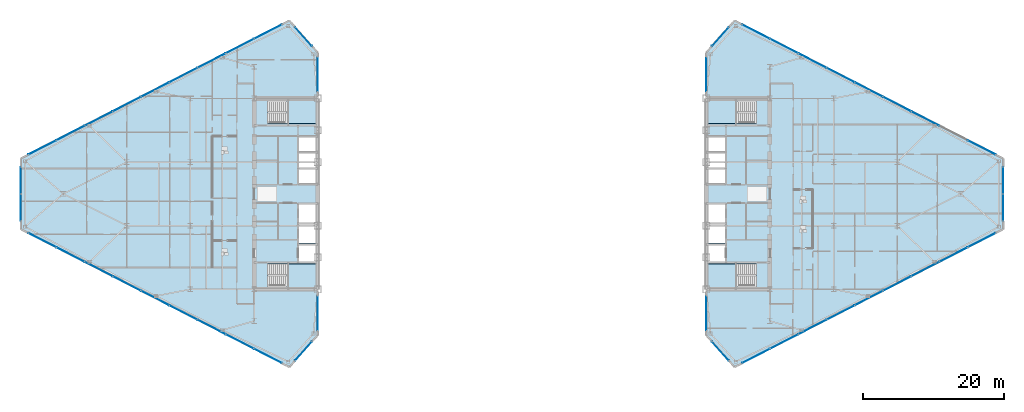
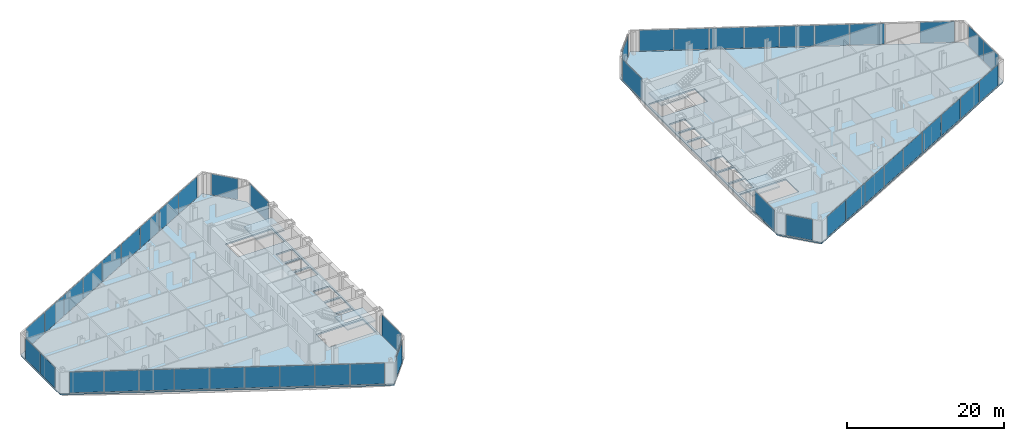
# One storey, part 14 of 24: 47 plates, 6 slabs, 18 elements without a shape of their own.
"""IFC4 building model written with IfcOpenShell, lengths in metres."""

from ifc_helpers import new_model, si_unit, direction, frame, origin, origin_2d, place, context, subcontext, project, spatial, polyline, rectangle, outline, extrude, source, transform, mapped, material, layer, layer_set, type_object, type_shapes, element, aggregate, save


model = new_model("IFC4")

# Units and contexts
model_context = context("Model", 3, precision=1e-05, world=origin(), true_north=direction((0.0, 1.0)))
body_context = subcontext(model_context, "Body", "Model", "MODEL_VIEW")
ifc_project = project(units=[si_unit("LENGTHUNIT", "METRE"), si_unit("AREAUNIT", "SQUARE_METRE"), si_unit("VOLUMEUNIT", "CUBIC_METRE"), si_unit("PLANEANGLEUNIT", "RADIAN"), si_unit("MASSUNIT", "GRAM", prefix="KILO")], contexts=[model_context])

# Site, building, storey
site_placement = place(None, origin())
site = spatial("IfcSite", under=ifc_project, at=site_placement, CompositionType="ELEMENT")
building_placement = place(site_placement, origin())
building = spatial("IfcBuilding", under=site, at=building_placement, Name="Seokmaru Belvedere", CompositionType="ELEMENT")
storey_placement = place(building_placement, frame((0.0, 0.0, 117.60009765625)))
storey = spatial("IfcBuildingStorey", under=building, at=storey_placement, Name="L31", CompositionType="ELEMENT", Elevation=117.60009765625)

# Stair, slab
ifc_material_1 = material(Name="Concrete C40 (40 MPa)", Category="concrete")
stair_type = type_object("IfcStairType", Name="Typical Tower Core Dog-Leg Stair 3600", PredefinedType="TWO_STRAIGHT_RUN_STAIR", material=ifc_material_1)
stair_1_placement = place(storey_placement, origin())
stair_1 = element("IfcStair", 1, at=stair_1_placement, inside=storey, type_object=stair_type, Name="L31 Special Escape Stair ST-W1", PredefinedType="TWO_STRAIGHT_RUN_STAIR")
ifc_layer_1 = layer(ifc_material_1, 0.199951171875)
ifc_layer_set_1 = layer_set([ifc_layer_1], Name="Concrete C40 (40 MPa)")
slab_type_1 = type_object("IfcSlabType", Name="Reinforced Concrete Stair Landing Slab 200", PredefinedType="LANDING", material=ifc_layer_set_1)
slab_1_placement = place(storey_placement, frame((0.0, 0.0, 1.599853515625)))
slab_1 = element("IfcSlab", 2, at=slab_1_placement, type_object=slab_type_1, Name="ST-W1 landing 1", PredefinedType="LANDING", context=body_context, shape_type="SweptSolid", body=[
    extrude(outline(polyline([(-31.8798828125, -13.239990234375), (-27.760009765625, -13.239990234375), (-27.760009765625, -9.949951171875), (-31.8798828125, -9.949951171875), (-31.8798828125, -13.239990234375)])), origin(), (0.0, 0.0, 1.0), 0.199951171875),
])
aggregate(stair_1, [slab_1])

stair_2_placement = place(storey_placement, origin())
stair_2 = element("IfcStair", 3, at=stair_2_placement, inside=storey, type_object=stair_type, Name="L31 Special Escape Stair ST-W2", PredefinedType="TWO_STRAIGHT_RUN_STAIR")
slab_2_placement = place(storey_placement, frame((0.0, 0.0, 1.599853515625)))
slab_2 = element("IfcSlab", 4, at=slab_2_placement, type_object=slab_type_1, Name="ST-W2 landing 1", PredefinedType="LANDING", context=body_context, shape_type="SweptSolid", body=[
    extrude(outline(polyline([(-31.8798828125, 9.949951171875), (-27.760009765625, 9.949951171875), (-27.760009765625, 13.239990234375), (-31.8798828125, 13.239990234375), (-31.8798828125, 9.949951171875)])), origin(), (0.0, 0.0, 1.0), 0.199951171875),
])
aggregate(stair_2, [slab_2])

stair_3_placement = place(storey_placement, origin())
stair_3 = element("IfcStair", 5, at=stair_3_placement, inside=storey, type_object=stair_type, Name="L31 Special Escape Stair ST-E1", PredefinedType="TWO_STRAIGHT_RUN_STAIR")
slab_3_placement = place(storey_placement, frame((0.0, 0.0, 1.599853515625)))
slab_3 = element("IfcSlab", 6, at=slab_3_placement, type_object=slab_type_1, Name="ST-E1 landing 1", PredefinedType="LANDING", context=body_context, shape_type="SweptSolid", body=[
    extrude(outline(polyline([(27.760009765625, -13.239990234375), (31.8798828125, -13.239990234375), (31.8798828125, -9.949951171875), (27.760009765625, -9.949951171875), (27.760009765625, -13.239990234375)])), origin(), (0.0, 0.0, 1.0), 0.199951171875),
])
aggregate(stair_3, [slab_3])

stair_4_placement = place(storey_placement, origin())
stair_4 = element("IfcStair", 7, at=stair_4_placement, inside=storey, type_object=stair_type, Name="L31 Special Escape Stair ST-E2", PredefinedType="TWO_STRAIGHT_RUN_STAIR")
slab_4_placement = place(storey_placement, frame((0.0, 0.0, 1.599853515625)))
slab_4 = element("IfcSlab", 8, at=slab_4_placement, type_object=slab_type_1, Name="ST-E2 landing 1", PredefinedType="LANDING", context=body_context, shape_type="SweptSolid", body=[
    extrude(outline(polyline([(27.760009765625, 9.949951171875), (31.8798828125, 9.949951171875), (31.8798828125, 13.239990234375), (27.760009765625, 13.239990234375), (27.760009765625, 9.949951171875)])), origin(), (0.0, 0.0, 1.0), 0.199951171875),
])
aggregate(stair_4, [slab_4])

# Slabs
ifc_layer_2 = layer(ifc_material_1, 0.219970703125)
ifc_layer_set_2 = layer_set([ifc_layer_2], Name="Concrete C40 (40 MPa)")
slab_type_2 = type_object("IfcSlabType", Name="Typical Tower Composite Floor Slab 220", PredefinedType="FLOOR", material=ifc_layer_set_2)
slab_5_placement = place(storey_placement, frame((0.0, 0.0, -0.22021484375)))
element("IfcSlab", 9, at=slab_5_placement, inside=storey, type_object=slab_type_2, Name="L31 West Leg Floor Slab", PredefinedType="FLOOR", context=body_context, shape_type="SweptSolid", body=[
    extrude(outline(polyline([(-27.5, -20.0), (-27.5, 20.0), (-31.5, 24.5), (-69.5, 5.0), (-69.5, -5.0), (-31.5, -24.5), (-27.5, -20.0)]), holes=[polyline([(-34.60009765625, -13.25), (-27.75, -13.25), (-27.75, -9.949951171875), (-34.60009765625, -9.949951171875), (-34.60009765625, -13.25)]), polyline([(-34.60009765625, 9.949951171875), (-27.75, 9.949951171875), (-27.75, 13.25), (-34.60009765625, 13.25), (-34.60009765625, 9.949951171875)]), polyline([(-30.14990234375, -9.550048828125), (-27.75, -9.550048828125), (-27.75, -7.25), (-30.14990234375, -7.25), (-30.14990234375, -9.550048828125)]), polyline([(-30.14990234375, -6.949951171875), (-27.75, -6.949951171875), (-27.75, -4.35009765625), (-30.14990234375, -4.35009765625), (-30.14990234375, -6.949951171875)]), polyline([(-30.14990234375, -4.050048828125), (-27.75, -4.050048828125), (-27.75, -1.449951171875), (-30.14990234375, -1.449951171875), (-30.14990234375, -4.050048828125)]), polyline([(-30.14990234375, 1.449951171875), (-27.75, 1.449951171875), (-27.75, 3.449951171875), (-30.14990234375, 3.449951171875), (-30.14990234375, 1.449951171875)]), polyline([(-30.14990234375, 3.75), (-27.75, 3.75), (-27.75, 5.75), (-30.14990234375, 5.75), (-30.14990234375, 3.75)]), polyline([(-30.14990234375, 6.050048828125), (-27.75, 6.050048828125), (-27.75, 8.050048828125), (-30.14990234375, 8.050048828125), (-30.14990234375, 6.050048828125)])]), origin(), (0.0, 0.0, 1.0), 0.22021484375),
])
slab_6_placement = place(storey_placement, frame((0.0, 0.0, -0.22021484375)))
element("IfcSlab", 10, at=slab_6_placement, inside=storey, type_object=slab_type_2, Name="L31 East Leg Floor Slab", PredefinedType="FLOOR", context=body_context, shape_type="SweptSolid", body=[
    extrude(outline(polyline([(31.5, -24.5), (69.5, -5.0), (69.5, 5.0), (31.5, 24.5), (27.5, 20.0), (27.5, -20.0), (31.5, -24.5)]), holes=[polyline([(27.75, -13.25), (34.60009765625, -13.25), (34.60009765625, -9.949951171875), (27.75, -9.949951171875), (27.75, -13.25)]), polyline([(27.75, 9.949951171875), (34.60009765625, 9.949951171875), (34.60009765625, 13.25), (27.75, 13.25), (27.75, 9.949951171875)]), polyline([(27.75, -9.550048828125), (30.14990234375, -9.550048828125), (30.14990234375, -7.25), (27.75, -7.25), (27.75, -9.550048828125)]), polyline([(27.75, -6.949951171875), (30.14990234375, -6.949951171875), (30.14990234375, -4.35009765625), (27.75, -4.35009765625), (27.75, -6.949951171875)]), polyline([(27.75, -4.050048828125), (30.14990234375, -4.050048828125), (30.14990234375, -1.449951171875), (27.75, -1.449951171875), (27.75, -4.050048828125)]), polyline([(27.75, 1.449951171875), (30.14990234375, 1.449951171875), (30.14990234375, 3.449951171875), (27.75, 3.449951171875), (27.75, 1.449951171875)]), polyline([(27.75, 3.75), (30.14990234375, 3.75), (30.14990234375, 5.75), (27.75, 5.75), (27.75, 3.75)]), polyline([(27.75, 6.050048828125), (30.14990234375, 6.050048828125), (30.14990234375, 8.050048828125), (27.75, 8.050048828125), (27.75, 6.050048828125)])]), origin(), (0.0, 0.0, 1.0), 0.22021484375),
])

# Curtain wall, plate
ifc_material_2 = material(Name="Bronze Triple Insulating Glass", Category="glass")
ifc_layer_3 = layer(ifc_material_2, 0.195068359375)
ifc_layer_set_3 = layer_set([ifc_layer_3], Name="Bronze Triple Insulating Glass")
curtain_wall_type = type_object("IfcCurtainWallType", Name="Sky-Lobby and Mid-Rise Curtain Wall System CW-4", PredefinedType="NOTDEFINED", material=ifc_layer_set_3)
curtain_wall_1_placement = place(storey_placement, origin())
curtain_wall_1 = element("IfcCurtainWall", 11, at=curtain_wall_1_placement, inside=storey, type_object=curtain_wall_type, Name="L31 Curtain Wall WSP_1", PredefinedType="NOTDEFINED")
ifc_layer_4 = layer(ifc_material_2, 0.035888671875)
ifc_layer_set_4 = layer_set([ifc_layer_4], Name="Bronze Triple Insulating Glass")
plate_type = type_object("IfcPlateType", Name="Bronze Triple Vision Glazing Panel 36", PredefinedType="CURTAIN_PANEL", material=ifc_layer_set_4)
shared_shape_1 = source(origin(), body_context, "Body", "SweptSolid", [
    extrude(rectangle(XDim=4.909912109375, YDim=0.035888671875, at=origin_2d()), origin(), (0.0, 0.0, 1.0), 3.25),
])
plate_1_placement = place(storey_placement, frame((-27.5, -16.905029296875, 0.06494140625), z_axis=(0.0, 0.0, 1.0), x_axis=(0.0, 1.0, 0.0)))
plate_1 = element("IfcPlate", 12, at=plate_1_placement, type_object=plate_type, Name="CW:L31:WSP_1 Glazing Panel 1-1", PredefinedType="CURTAIN_PANEL", context=body_context, shape_type="MappedRepresentation", body=[
    mapped(shared_shape_1, transform((0.0, 0.0, 0.0), scale=1.0)),
])
aggregate(curtain_wall_1, [plate_1])

curtain_wall_2_placement = place(storey_placement, origin())
curtain_wall_2 = element("IfcCurtainWall", 13, at=curtain_wall_2_placement, inside=storey, type_object=curtain_wall_type, Name="L31 Curtain Wall WSP_2", PredefinedType="NOTDEFINED")
plate_2_placement = place(storey_placement, frame((-27.5, 16.905029296875, 0.06494140625), z_axis=(0.0, 0.0, 1.0), x_axis=(0.0, 1.0, 0.0)))
plate_2 = element("IfcPlate", 14, at=plate_2_placement, type_object=plate_type, Name="CW:L31:WSP_2 Glazing Panel 1-1", PredefinedType="CURTAIN_PANEL", context=body_context, shape_type="MappedRepresentation", body=[
    mapped(shared_shape_1, transform((0.0, 0.0, 0.0), scale=1.0)),
])
aggregate(curtain_wall_2, [plate_2])

curtain_wall_3_placement = place(storey_placement, origin())
curtain_wall_3 = element("IfcCurtainWall", 15, at=curtain_wall_3_placement, inside=storey, type_object=curtain_wall_type, Name="L31 Curtain Wall ESP_1", PredefinedType="NOTDEFINED")
plate_3_placement = place(storey_placement, frame((27.5, -16.905029296875, 0.06494140625), z_axis=(0.0, 0.0, 1.0), x_axis=(0.0, -1.0, 0.0)))
plate_3 = element("IfcPlate", 16, at=plate_3_placement, type_object=plate_type, Name="CW:L31:ESP_1 Glazing Panel 1-1", PredefinedType="CURTAIN_PANEL", context=body_context, shape_type="MappedRepresentation", body=[
    mapped(shared_shape_1, transform((0.0, 0.0, 0.0), scale=1.0)),
])
aggregate(curtain_wall_3, [plate_3])

curtain_wall_4_placement = place(storey_placement, origin())
curtain_wall_4 = element("IfcCurtainWall", 17, at=curtain_wall_4_placement, inside=storey, type_object=curtain_wall_type, Name="L31 Curtain Wall ESP_2", PredefinedType="NOTDEFINED")
plate_4_placement = place(storey_placement, frame((27.5, 16.905029296875, 0.06494140625), z_axis=(0.0, 0.0, 1.0), x_axis=(0.0, -1.0, 0.0)))
plate_4 = element("IfcPlate", 18, at=plate_4_placement, type_object=plate_type, Name="CW:L31:ESP_2 Glazing Panel 1-1", PredefinedType="CURTAIN_PANEL", context=body_context, shape_type="MappedRepresentation", body=[
    mapped(shared_shape_1, transform((0.0, 0.0, 0.0), scale=1.0)),
])
aggregate(curtain_wall_4, [plate_4])

curtain_wall_5_placement = place(storey_placement, origin())
curtain_wall_5 = element("IfcCurtainWall", 19, at=curtain_wall_5_placement, inside=storey, type_object=curtain_wall_type, Name="L31 Curtain Wall WF2", PredefinedType="NOTDEFINED")
shared_shape_2 = source(origin(), body_context, "Body", "SweptSolid", [
    extrude(rectangle(XDim=3.580810546875, YDim=0.035888671875, at=origin_2d()), origin(), (0.0, 0.0, 1.0), 3.25),
])
plate_5_placement = place(storey_placement, frame((-29.5, 22.25, 0.06494140625), z_axis=(0.0, 0.0, 1.0), x_axis=(-0.664363325694, 0.747409774804, 0.0)))
plate_5 = element("IfcPlate", 20, at=plate_5_placement, type_object=plate_type, Name="CW:L31:WF2 Glazing Panel 1-1", PredefinedType="CURTAIN_PANEL", context=body_context, shape_type="MappedRepresentation", body=[
    mapped(shared_shape_2, transform((0.0, 0.0, 0.0), scale=1.0)),
])
aggregate(curtain_wall_5, [plate_5])

curtain_wall_6_placement = place(storey_placement, origin())
curtain_wall_6 = element("IfcCurtainWall", 21, at=curtain_wall_6_placement, inside=storey, type_object=curtain_wall_type, Name="L31 Curtain Wall WF6", PredefinedType="NOTDEFINED")
plate_6_placement = place(storey_placement, frame((-29.5, -22.25, 0.06494140625), z_axis=(0.0, 0.0, 1.0), x_axis=(0.664363325694, 0.747409774804, 0.0)))
plate_6 = element("IfcPlate", 22, at=plate_6_placement, type_object=plate_type, Name="CW:L31:WF6 Glazing Panel 1-1", PredefinedType="CURTAIN_PANEL", context=body_context, shape_type="MappedRepresentation", body=[
    mapped(shared_shape_2, transform((0.0, 0.0, 0.0), scale=1.0)),
])
aggregate(curtain_wall_6, [plate_6])

curtain_wall_7_placement = place(storey_placement, origin())
curtain_wall_7 = element("IfcCurtainWall", 23, at=curtain_wall_7_placement, inside=storey, type_object=curtain_wall_type, Name="L31 Curtain Wall EF4", PredefinedType="NOTDEFINED")
plate_7_placement = place(storey_placement, frame((29.5, 22.25, 0.06494140625), z_axis=(0.0, 0.0, 1.0), x_axis=(-0.664363325694, -0.747409774804, 0.0)))
plate_7 = element("IfcPlate", 24, at=plate_7_placement, type_object=plate_type, Name="CW:L31:EF4 Glazing Panel 1-1", PredefinedType="CURTAIN_PANEL", context=body_context, shape_type="MappedRepresentation", body=[
    mapped(shared_shape_2, transform((0.0, 0.0, 0.0), scale=1.0)),
])
aggregate(curtain_wall_7, [plate_7])

curtain_wall_8_placement = place(storey_placement, origin())
curtain_wall_8 = element("IfcCurtainWall", 25, at=curtain_wall_8_placement, inside=storey, type_object=curtain_wall_type, Name="L31 Curtain Wall EF6", PredefinedType="NOTDEFINED")
plate_8_placement = place(storey_placement, frame((29.5, -22.25, 0.06494140625), z_axis=(0.0, 0.0, 1.0), x_axis=(0.664363325694, -0.747409774804, 0.0)))
plate_8 = element("IfcPlate", 26, at=plate_8_placement, type_object=plate_type, Name="CW:L31:EF6 Glazing Panel 1-1", PredefinedType="CURTAIN_PANEL", context=body_context, shape_type="MappedRepresentation", body=[
    mapped(shared_shape_2, transform((0.0, 0.0, 0.0), scale=1.0)),
])
aggregate(curtain_wall_8, [plate_8])

# Curtain wall, plates
curtain_wall_9_placement = place(storey_placement, origin())
curtain_wall_9 = element("IfcCurtainWall", 27, at=curtain_wall_9_placement, inside=storey, type_object=curtain_wall_type, Name="L31 Curtain Wall WF3", PredefinedType="NOTDEFINED")
shared_shape_3 = source(origin(), body_context, "Body", "SweptSolid", [
    extrude(rectangle(XDim=4.38525390625, YDim=0.035888671875, at=origin_2d()), origin(), (0.0, 0.0, 1.0), 3.25),
])
plate_9_placement = place(storey_placement, frame((-34.5361328125, 22.94189453125, 0.06494140625), z_axis=(0.0, 0.0, 1.0), x_axis=(-0.889695432562, -0.456554528263, 0.0)))
plate_9 = element("IfcPlate", 28, at=plate_9_placement, type_object=plate_type, Name="CW:L31:WF3 Glazing Panel 1-1", PredefinedType="CURTAIN_PANEL", context=body_context, shape_type="MappedRepresentation", body=[
    mapped(shared_shape_3, transform((0.0, 0.0, 0.0), scale=1.0)),
])
plate_10_placement = place(storey_placement, frame((-66.4638671875, 6.55810546875, 0.06494140625), z_axis=(0.0, 0.0, 1.0), x_axis=(-0.889695432562, -0.456554528263, 0.0)))
plate_10 = element("IfcPlate", 29, at=plate_10_placement, type_object=plate_type, Name="CW:L31:WF3 Glazing Panel 9-1", PredefinedType="CURTAIN_PANEL", context=body_context, shape_type="MappedRepresentation", body=[
    mapped(shared_shape_3, transform((0.0, 0.0, 0.0), scale=1.0)),
])

curtain_wall_10_placement = place(storey_placement, origin())
curtain_wall_10 = element("IfcCurtainWall", 30, at=curtain_wall_10_placement, inside=storey, type_object=curtain_wall_type, Name="L31 Curtain Wall WF5", PredefinedType="NOTDEFINED")
plate_11_placement = place(storey_placement, frame((-66.4638671875, -6.55810546875, 0.06494140625), z_axis=(0.0, 0.0, 1.0), x_axis=(0.889695432562, -0.456554528263, 0.0)))
plate_11 = element("IfcPlate", 31, at=plate_11_placement, type_object=plate_type, Name="CW:L31:WF5 Glazing Panel 1-1", PredefinedType="CURTAIN_PANEL", context=body_context, shape_type="MappedRepresentation", body=[
    mapped(shared_shape_3, transform((0.0, 0.0, 0.0), scale=1.0)),
])
plate_12_placement = place(storey_placement, frame((-34.5361328125, -22.94189453125, 0.06494140625), z_axis=(0.0, 0.0, 1.0), x_axis=(0.889695432562, -0.456554528263, 0.0)))
plate_12 = element("IfcPlate", 32, at=plate_12_placement, type_object=plate_type, Name="CW:L31:WF5 Glazing Panel 9-1", PredefinedType="CURTAIN_PANEL", context=body_context, shape_type="MappedRepresentation", body=[
    mapped(shared_shape_3, transform((0.0, 0.0, 0.0), scale=1.0)),
])

curtain_wall_11_placement = place(storey_placement, origin())
curtain_wall_11 = element("IfcCurtainWall", 33, at=curtain_wall_11_placement, inside=storey, type_object=curtain_wall_type, Name="L31 Curtain Wall EF1", PredefinedType="NOTDEFINED")
plate_13_placement = place(storey_placement, frame((34.5361328125, -22.94189453125, 0.06494140625), z_axis=(0.0, 0.0, 1.0), x_axis=(0.889695432562, 0.456554528263, 0.0)))
plate_13 = element("IfcPlate", 34, at=plate_13_placement, type_object=plate_type, Name="CW:L31:EF1 Glazing Panel 1-1", PredefinedType="CURTAIN_PANEL", context=body_context, shape_type="MappedRepresentation", body=[
    mapped(shared_shape_3, transform((0.0, 0.0, 0.0), scale=1.0)),
])
plate_14_placement = place(storey_placement, frame((66.4638671875, -6.55810546875, 0.06494140625), z_axis=(0.0, 0.0, 1.0), x_axis=(0.889695432562, 0.456554528263, 0.0)))
plate_14 = element("IfcPlate", 35, at=plate_14_placement, type_object=plate_type, Name="CW:L31:EF1 Glazing Panel 9-1", PredefinedType="CURTAIN_PANEL", context=body_context, shape_type="MappedRepresentation", body=[
    mapped(shared_shape_3, transform((0.0, 0.0, 0.0), scale=1.0)),
])

curtain_wall_12_placement = place(storey_placement, origin())
curtain_wall_12 = element("IfcCurtainWall", 36, at=curtain_wall_12_placement, inside=storey, type_object=curtain_wall_type, Name="L31 Curtain Wall EF3", PredefinedType="NOTDEFINED")
plate_15_placement = place(storey_placement, frame((66.4638671875, 6.55810546875, 0.06494140625), z_axis=(0.0, 0.0, 1.0), x_axis=(-0.889695432562, 0.456554528263, 0.0)))
plate_15 = element("IfcPlate", 37, at=plate_15_placement, type_object=plate_type, Name="CW:L31:EF3 Glazing Panel 1-1", PredefinedType="CURTAIN_PANEL", context=body_context, shape_type="MappedRepresentation", body=[
    mapped(shared_shape_3, transform((0.0, 0.0, 0.0), scale=1.0)),
])
plate_16_placement = place(storey_placement, frame((34.5361328125, 22.94189453125, 0.06494140625), z_axis=(0.0, 0.0, 1.0), x_axis=(-0.889695432562, 0.456554528263, 0.0)))
plate_16 = element("IfcPlate", 38, at=plate_16_placement, type_object=plate_type, Name="CW:L31:EF3 Glazing Panel 9-1", PredefinedType="CURTAIN_PANEL", context=body_context, shape_type="MappedRepresentation", body=[
    mapped(shared_shape_3, transform((0.0, 0.0, 0.0), scale=1.0)),
])

# Plate
shared_shape_4 = source(origin(), body_context, "Body", "SweptSolid", [
    extrude(rectangle(XDim=4.420166015625, YDim=0.035888671875, at=origin_2d()), origin(), (0.0, 0.0, 1.0), 3.25),
])
plate_17_placement = place(storey_placement, frame((-38.515380859375, 20.89990234375, 0.06494140625), z_axis=(0.0, 0.0, 1.0), x_axis=(-0.889695432562, -0.456554528263, 0.0)))
plate_17 = element("IfcPlate", 39, at=plate_17_placement, type_object=plate_type, Name="CW:L31:WF3 Glazing Panel 2-1", PredefinedType="CURTAIN_PANEL", context=body_context, shape_type="MappedRepresentation", body=[
    mapped(shared_shape_4, transform((0.0, 0.0, 0.0), scale=1.0)),
])

plate_18_placement = place(storey_placement, frame((-42.51025390625, 18.85009765625, 0.06494140625), z_axis=(0.0, 0.0, 1.0), x_axis=(-0.889695432562, -0.456554528263, 0.0)))
plate_18 = element("IfcPlate", 40, at=plate_18_placement, type_object=plate_type, Name="CW:L31:WF3 Glazing Panel 3-1", PredefinedType="CURTAIN_PANEL", context=body_context, shape_type="MappedRepresentation", body=[
    mapped(shared_shape_4, transform((0.0, 0.0, 0.0), scale=1.0)),
])

plate_19_placement = place(storey_placement, frame((-46.505126953125, 16.800048828125, 0.06494140625), z_axis=(0.0, 0.0, 1.0), x_axis=(-0.889695432562, -0.456554528263, 0.0)))
plate_19 = element("IfcPlate", 41, at=plate_19_placement, type_object=plate_type, Name="CW:L31:WF3 Glazing Panel 4-1", PredefinedType="CURTAIN_PANEL", context=body_context, shape_type="MappedRepresentation", body=[
    mapped(shared_shape_4, transform((0.0, 0.0, 0.0), scale=1.0)),
])

plate_20_placement = place(storey_placement, frame((-50.5, 14.75, 0.06494140625), z_axis=(0.0, 0.0, 1.0), x_axis=(-0.889695432562, -0.456554528263, 0.0)))
plate_20 = element("IfcPlate", 42, at=plate_20_placement, type_object=plate_type, Name="CW:L31:WF3 Glazing Panel 5-1", PredefinedType="CURTAIN_PANEL", context=body_context, shape_type="MappedRepresentation", body=[
    mapped(shared_shape_4, transform((0.0, 0.0, 0.0), scale=1.0)),
])

plate_21_placement = place(storey_placement, frame((-54.494873046875, 12.699951171875, 0.06494140625), z_axis=(0.0, 0.0, 1.0), x_axis=(-0.889695432562, -0.456554528263, 0.0)))
plate_21 = element("IfcPlate", 43, at=plate_21_placement, type_object=plate_type, Name="CW:L31:WF3 Glazing Panel 6-1", PredefinedType="CURTAIN_PANEL", context=body_context, shape_type="MappedRepresentation", body=[
    mapped(shared_shape_4, transform((0.0, 0.0, 0.0), scale=1.0)),
])

plate_22_placement = place(storey_placement, frame((-58.48974609375, 10.64990234375, 0.06494140625), z_axis=(0.0, 0.0, 1.0), x_axis=(-0.889695432562, -0.456554528263, 0.0)))
plate_22 = element("IfcPlate", 44, at=plate_22_placement, type_object=plate_type, Name="CW:L31:WF3 Glazing Panel 7-1", PredefinedType="CURTAIN_PANEL", context=body_context, shape_type="MappedRepresentation", body=[
    mapped(shared_shape_4, transform((0.0, 0.0, 0.0), scale=1.0)),
])

plate_23_placement = place(storey_placement, frame((-62.484619140625, 8.60009765625, 0.06494140625), z_axis=(0.0, 0.0, 1.0), x_axis=(-0.889695432562, -0.456554528263, 0.0)))
plate_23 = element("IfcPlate", 45, at=plate_23_placement, type_object=plate_type, Name="CW:L31:WF3 Glazing Panel 8-1", PredefinedType="CURTAIN_PANEL", context=body_context, shape_type="MappedRepresentation", body=[
    mapped(shared_shape_4, transform((0.0, 0.0, 0.0), scale=1.0)),
])

aggregate(curtain_wall_9, [plate_9, plate_17, plate_18, plate_19, plate_20, plate_21, plate_22, plate_23, plate_10])

plate_24_placement = place(storey_placement, frame((-62.484619140625, -8.60009765625, 0.06494140625), z_axis=(0.0, 0.0, 1.0), x_axis=(0.889695432562, -0.456554528263, 0.0)))
plate_24 = element("IfcPlate", 46, at=plate_24_placement, type_object=plate_type, Name="CW:L31:WF5 Glazing Panel 2-1", PredefinedType="CURTAIN_PANEL", context=body_context, shape_type="MappedRepresentation", body=[
    mapped(shared_shape_4, transform((0.0, 0.0, 0.0), scale=1.0)),
])

plate_25_placement = place(storey_placement, frame((-58.48974609375, -10.64990234375, 0.06494140625), z_axis=(0.0, 0.0, 1.0), x_axis=(0.889695432562, -0.456554528263, 0.0)))
plate_25 = element("IfcPlate", 47, at=plate_25_placement, type_object=plate_type, Name="CW:L31:WF5 Glazing Panel 3-1", PredefinedType="CURTAIN_PANEL", context=body_context, shape_type="MappedRepresentation", body=[
    mapped(shared_shape_4, transform((0.0, 0.0, 0.0), scale=1.0)),
])

plate_26_placement = place(storey_placement, frame((-54.494873046875, -12.699951171875, 0.06494140625), z_axis=(0.0, 0.0, 1.0), x_axis=(0.889695432562, -0.456554528263, 0.0)))
plate_26 = element("IfcPlate", 48, at=plate_26_placement, type_object=plate_type, Name="CW:L31:WF5 Glazing Panel 4-1", PredefinedType="CURTAIN_PANEL", context=body_context, shape_type="MappedRepresentation", body=[
    mapped(shared_shape_4, transform((0.0, 0.0, 0.0), scale=1.0)),
])

plate_27_placement = place(storey_placement, frame((-50.5, -14.75, 0.06494140625), z_axis=(0.0, 0.0, 1.0), x_axis=(0.889695432562, -0.456554528263, 0.0)))
plate_27 = element("IfcPlate", 49, at=plate_27_placement, type_object=plate_type, Name="CW:L31:WF5 Glazing Panel 5-1", PredefinedType="CURTAIN_PANEL", context=body_context, shape_type="MappedRepresentation", body=[
    mapped(shared_shape_4, transform((0.0, 0.0, 0.0), scale=1.0)),
])

plate_28_placement = place(storey_placement, frame((-46.505126953125, -16.800048828125, 0.06494140625), z_axis=(0.0, 0.0, 1.0), x_axis=(0.889695432562, -0.456554528263, 0.0)))
plate_28 = element("IfcPlate", 50, at=plate_28_placement, type_object=plate_type, Name="CW:L31:WF5 Glazing Panel 6-1", PredefinedType="CURTAIN_PANEL", context=body_context, shape_type="MappedRepresentation", body=[
    mapped(shared_shape_4, transform((0.0, 0.0, 0.0), scale=1.0)),
])

plate_29_placement = place(storey_placement, frame((-42.51025390625, -18.85009765625, 0.06494140625), z_axis=(0.0, 0.0, 1.0), x_axis=(0.889695432562, -0.456554528263, 0.0)))
plate_29 = element("IfcPlate", 51, at=plate_29_placement, type_object=plate_type, Name="CW:L31:WF5 Glazing Panel 7-1", PredefinedType="CURTAIN_PANEL", context=body_context, shape_type="MappedRepresentation", body=[
    mapped(shared_shape_4, transform((0.0, 0.0, 0.0), scale=1.0)),
])

plate_30_placement = place(storey_placement, frame((-38.515380859375, -20.89990234375, 0.06494140625), z_axis=(0.0, 0.0, 1.0), x_axis=(0.889695432562, -0.456554528263, 0.0)))
plate_30 = element("IfcPlate", 52, at=plate_30_placement, type_object=plate_type, Name="CW:L31:WF5 Glazing Panel 8-1", PredefinedType="CURTAIN_PANEL", context=body_context, shape_type="MappedRepresentation", body=[
    mapped(shared_shape_4, transform((0.0, 0.0, 0.0), scale=1.0)),
])

aggregate(curtain_wall_10, [plate_11, plate_24, plate_25, plate_26, plate_27, plate_28, plate_29, plate_30, plate_12])

plate_31_placement = place(storey_placement, frame((38.515380859375, -20.89990234375, 0.06494140625), z_axis=(0.0, 0.0, 1.0), x_axis=(0.889695432562, 0.456554528263, 0.0)))
plate_31 = element("IfcPlate", 53, at=plate_31_placement, type_object=plate_type, Name="CW:L31:EF1 Glazing Panel 2-1", PredefinedType="CURTAIN_PANEL", context=body_context, shape_type="MappedRepresentation", body=[
    mapped(shared_shape_4, transform((0.0, 0.0, 0.0), scale=1.0)),
])

plate_32_placement = place(storey_placement, frame((42.51025390625, -18.85009765625, 0.06494140625), z_axis=(0.0, 0.0, 1.0), x_axis=(0.889695432562, 0.456554528263, 0.0)))
plate_32 = element("IfcPlate", 54, at=plate_32_placement, type_object=plate_type, Name="CW:L31:EF1 Glazing Panel 3-1", PredefinedType="CURTAIN_PANEL", context=body_context, shape_type="MappedRepresentation", body=[
    mapped(shared_shape_4, transform((0.0, 0.0, 0.0), scale=1.0)),
])

plate_33_placement = place(storey_placement, frame((46.505126953125, -16.800048828125, 0.06494140625), z_axis=(0.0, 0.0, 1.0), x_axis=(0.889695432562, 0.456554528263, 0.0)))
plate_33 = element("IfcPlate", 55, at=plate_33_placement, type_object=plate_type, Name="CW:L31:EF1 Glazing Panel 4-1", PredefinedType="CURTAIN_PANEL", context=body_context, shape_type="MappedRepresentation", body=[
    mapped(shared_shape_4, transform((0.0, 0.0, 0.0), scale=1.0)),
])

plate_34_placement = place(storey_placement, frame((50.5, -14.75, 0.06494140625), z_axis=(0.0, 0.0, 1.0), x_axis=(0.889695432562, 0.456554528263, 0.0)))
plate_34 = element("IfcPlate", 56, at=plate_34_placement, type_object=plate_type, Name="CW:L31:EF1 Glazing Panel 5-1", PredefinedType="CURTAIN_PANEL", context=body_context, shape_type="MappedRepresentation", body=[
    mapped(shared_shape_4, transform((0.0, 0.0, 0.0), scale=1.0)),
])

plate_35_placement = place(storey_placement, frame((54.494873046875, -12.699951171875, 0.06494140625), z_axis=(0.0, 0.0, 1.0), x_axis=(0.889695432562, 0.456554528263, 0.0)))
plate_35 = element("IfcPlate", 57, at=plate_35_placement, type_object=plate_type, Name="CW:L31:EF1 Glazing Panel 6-1", PredefinedType="CURTAIN_PANEL", context=body_context, shape_type="MappedRepresentation", body=[
    mapped(shared_shape_4, transform((0.0, 0.0, 0.0), scale=1.0)),
])

plate_36_placement = place(storey_placement, frame((58.48974609375, -10.64990234375, 0.06494140625), z_axis=(0.0, 0.0, 1.0), x_axis=(0.889695432562, 0.456554528263, 0.0)))
plate_36 = element("IfcPlate", 58, at=plate_36_placement, type_object=plate_type, Name="CW:L31:EF1 Glazing Panel 7-1", PredefinedType="CURTAIN_PANEL", context=body_context, shape_type="MappedRepresentation", body=[
    mapped(shared_shape_4, transform((0.0, 0.0, 0.0), scale=1.0)),
])

plate_37_placement = place(storey_placement, frame((62.484619140625, -8.60009765625, 0.06494140625), z_axis=(0.0, 0.0, 1.0), x_axis=(0.889695432562, 0.456554528263, 0.0)))
plate_37 = element("IfcPlate", 59, at=plate_37_placement, type_object=plate_type, Name="CW:L31:EF1 Glazing Panel 8-1", PredefinedType="CURTAIN_PANEL", context=body_context, shape_type="MappedRepresentation", body=[
    mapped(shared_shape_4, transform((0.0, 0.0, 0.0), scale=1.0)),
])

aggregate(curtain_wall_11, [plate_13, plate_31, plate_32, plate_33, plate_34, plate_35, plate_36, plate_37, plate_14])

plate_38_placement = place(storey_placement, frame((58.48974609375, 10.64990234375, 0.06494140625), z_axis=(0.0, 0.0, 1.0), x_axis=(-0.889695432562, 0.456554528263, 0.0)))
plate_38 = element("IfcPlate", 60, at=plate_38_placement, type_object=plate_type, Name="CW:L31:EF3 Glazing Panel 3-1", PredefinedType="CURTAIN_PANEL", context=body_context, shape_type="MappedRepresentation", body=[
    mapped(shared_shape_4, transform((0.0, 0.0, 0.0), scale=1.0)),
])

plate_39_placement = place(storey_placement, frame((54.494873046875, 12.699951171875, 0.06494140625), z_axis=(0.0, 0.0, 1.0), x_axis=(-0.889695432562, 0.456554528263, 0.0)))
plate_39 = element("IfcPlate", 61, at=plate_39_placement, type_object=plate_type, Name="CW:L31:EF3 Glazing Panel 4-1", PredefinedType="CURTAIN_PANEL", context=body_context, shape_type="MappedRepresentation", body=[
    mapped(shared_shape_4, transform((0.0, 0.0, 0.0), scale=1.0)),
])

plate_40_placement = place(storey_placement, frame((50.5, 14.75, 0.06494140625), z_axis=(0.0, 0.0, 1.0), x_axis=(-0.889695432562, 0.456554528263, 0.0)))
plate_40 = element("IfcPlate", 62, at=plate_40_placement, type_object=plate_type, Name="CW:L31:EF3 Glazing Panel 5-1", PredefinedType="CURTAIN_PANEL", context=body_context, shape_type="MappedRepresentation", body=[
    mapped(shared_shape_4, transform((0.0, 0.0, 0.0), scale=1.0)),
])

plate_41_placement = place(storey_placement, frame((46.505126953125, 16.800048828125, 0.06494140625), z_axis=(0.0, 0.0, 1.0), x_axis=(-0.889695432562, 0.456554528263, 0.0)))
plate_41 = element("IfcPlate", 63, at=plate_41_placement, type_object=plate_type, Name="CW:L31:EF3 Glazing Panel 6-1", PredefinedType="CURTAIN_PANEL", context=body_context, shape_type="MappedRepresentation", body=[
    mapped(shared_shape_4, transform((0.0, 0.0, 0.0), scale=1.0)),
])

plate_42_placement = place(storey_placement, frame((42.51025390625, 18.85009765625, 0.06494140625), z_axis=(0.0, 0.0, 1.0), x_axis=(-0.889695432562, 0.456554528263, 0.0)))
plate_42 = element("IfcPlate", 64, at=plate_42_placement, type_object=plate_type, Name="CW:L31:EF3 Glazing Panel 7-1", PredefinedType="CURTAIN_PANEL", context=body_context, shape_type="MappedRepresentation", body=[
    mapped(shared_shape_4, transform((0.0, 0.0, 0.0), scale=1.0)),
])

plate_43_placement = place(storey_placement, frame((38.515380859375, 20.89990234375, 0.06494140625), z_axis=(0.0, 0.0, 1.0), x_axis=(-0.889695432562, 0.456554528263, 0.0)))
plate_43 = element("IfcPlate", 65, at=plate_43_placement, type_object=plate_type, Name="CW:L31:EF3 Glazing Panel 8-1", PredefinedType="CURTAIN_PANEL", context=body_context, shape_type="MappedRepresentation", body=[
    mapped(shared_shape_4, transform((0.0, 0.0, 0.0), scale=1.0)),
])

aggregate(curtain_wall_12, [plate_15, plate_38, plate_39, plate_40, plate_41, plate_42, plate_43, plate_16])

# Curtain wall, plates
curtain_wall_13_placement = place(storey_placement, origin())
curtain_wall_13 = element("IfcCurtainWall", 66, at=curtain_wall_13_placement, inside=storey, type_object=curtain_wall_type, Name="L31 Curtain Wall WF4", PredefinedType="NOTDEFINED")
shared_shape_5 = source(origin(), body_context, "Body", "SweptSolid", [
    extrude(rectangle(XDim=3.7451171875, YDim=0.035888671875, at=origin_2d()), origin(), (0.0, 0.0, 1.0), 3.25),
])
type_shapes(plate_type, [shared_shape_1, shared_shape_2, shared_shape_3, shared_shape_4, shared_shape_5])
plate_44_placement = place(storey_placement, frame((-69.5, 1.907470703125, 0.06494140625), z_axis=(0.0, 0.0, 1.0), x_axis=(0.0, -1.0, 0.0)))
plate_44 = element("IfcPlate", 67, at=plate_44_placement, type_object=plate_type, Name="CW:L31:WF4 Glazing Panel 1-1", PredefinedType="CURTAIN_PANEL", context=body_context, shape_type="MappedRepresentation", body=[
    mapped(shared_shape_5, transform((0.0, 0.0, 0.0), scale=1.0)),
])
plate_45_placement = place(storey_placement, frame((-69.5, -1.907470703125, 0.06494140625), z_axis=(0.0, 0.0, 1.0), x_axis=(0.0, -1.0, 0.0)))
plate_45 = element("IfcPlate", 68, at=plate_45_placement, type_object=plate_type, Name="CW:L31:WF4 Glazing Panel 2-1", PredefinedType="CURTAIN_PANEL", context=body_context, shape_type="MappedRepresentation", body=[
    mapped(shared_shape_5, transform((0.0, 0.0, 0.0), scale=1.0)),
])
aggregate(curtain_wall_13, [plate_44, plate_45])

curtain_wall_14_placement = place(storey_placement, origin())
curtain_wall_14 = element("IfcCurtainWall", 69, at=curtain_wall_14_placement, inside=storey, type_object=curtain_wall_type, Name="L31 Curtain Wall EF2", PredefinedType="NOTDEFINED")
plate_46_placement = place(storey_placement, frame((69.5, -1.907470703125, 0.06494140625), z_axis=(0.0, 0.0, 1.0), x_axis=(0.0, 1.0, 0.0)))
plate_46 = element("IfcPlate", 70, at=plate_46_placement, type_object=plate_type, Name="CW:L31:EF2 Glazing Panel 1-1", PredefinedType="CURTAIN_PANEL", context=body_context, shape_type="MappedRepresentation", body=[
    mapped(shared_shape_5, transform((0.0, 0.0, 0.0), scale=1.0)),
])
plate_47_placement = place(storey_placement, frame((69.5, 1.907470703125, 0.06494140625), z_axis=(0.0, 0.0, 1.0), x_axis=(0.0, 1.0, 0.0)))
plate_47 = element("IfcPlate", 71, at=plate_47_placement, type_object=plate_type, Name="CW:L31:EF2 Glazing Panel 2-1", PredefinedType="CURTAIN_PANEL", context=body_context, shape_type="MappedRepresentation", body=[
    mapped(shared_shape_5, transform((0.0, 0.0, 0.0), scale=1.0)),
])
aggregate(curtain_wall_14, [plate_46, plate_47])

save(model, "model.ifc")
